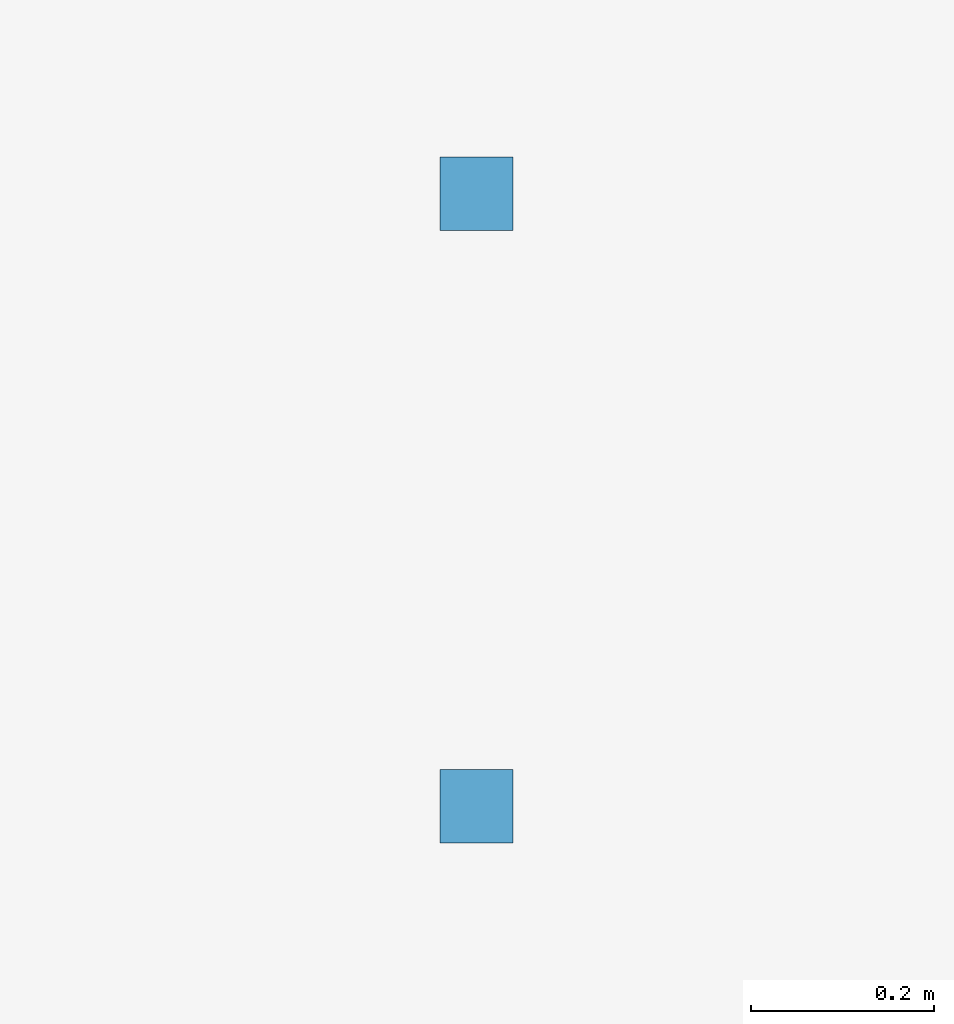
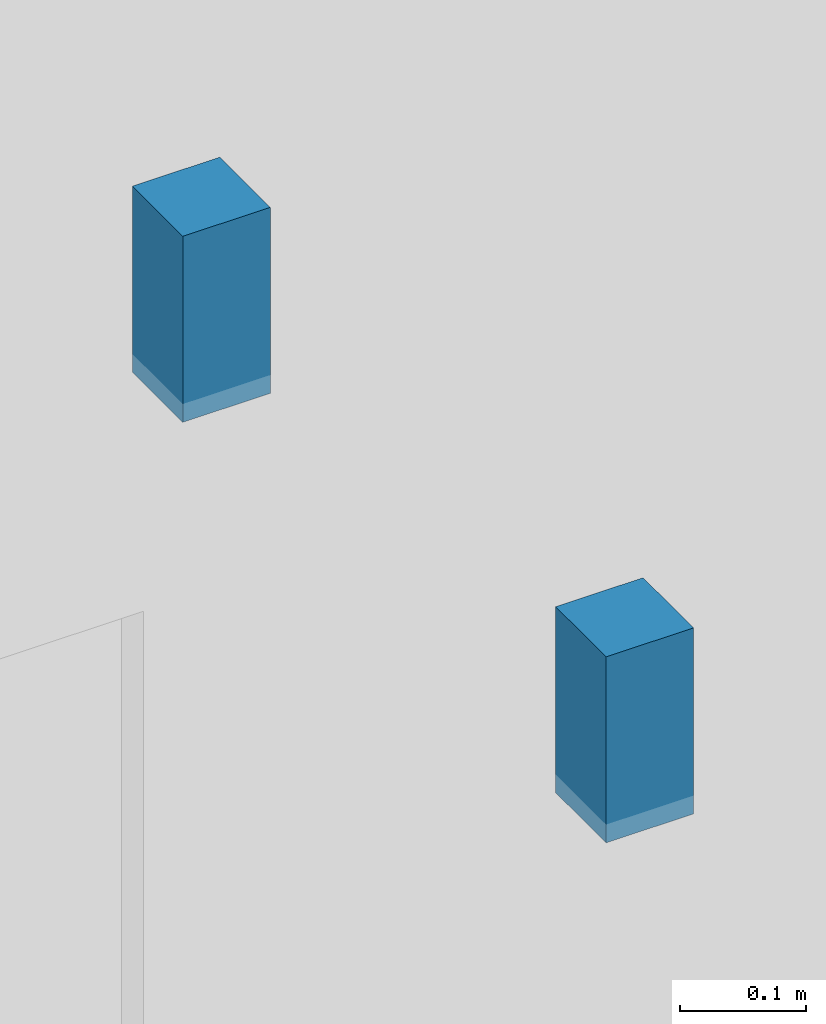
# One storey, part 9 of 18: 2 discrete accessories.
"""IFC4 building model written with IfcOpenShell, lengths in metres."""

from ifc_helpers import new_model, si_unit, direction, frame, origin, origin_2d, place, context, subcontext, project, spatial, rectangle, extrude, material, type_object, element, save


model = new_model("IFC4")

# Units and contexts
model_context = context("Model", 3, precision=1e-05, world=origin(), true_north=direction((0.0, 1.0)))
body_context = subcontext(model_context, "Body", "Model", "MODEL_VIEW")
ifc_project = project(units=[si_unit("LENGTHUNIT", "METRE"), si_unit("AREAUNIT", "SQUARE_METRE"), si_unit("VOLUMEUNIT", "CUBIC_METRE"), si_unit("PLANEANGLEUNIT", "RADIAN"), si_unit("MASSUNIT", "GRAM", prefix="KILO")], contexts=[model_context])

# Site, building, storey
site_placement = place(None, origin())
site = spatial("IfcSite", under=ifc_project, at=site_placement, CompositionType="ELEMENT")
building_placement = place(site_placement, origin())
building = spatial("IfcBuilding", under=site, at=building_placement, Name="Kolvaren Gate Tower and Convention Centre", CompositionType="ELEMENT")
storey_placement = place(building_placement, frame((0.0, 0.0, 229.39990234375)))
storey = spatial("IfcBuildingStorey", under=building, at=storey_placement, Name="L61", CompositionType="ELEMENT", Elevation=229.39990234375)

# Discrete accessories
ifc_material = material(Name="Brushed Stainless Steel Grade 316L", Category="steel")
discrete_accessory_type = type_object("IfcDiscreteAccessoryType", Name="ARCH-ACC-HANGER-80", PredefinedType="BRACKET", material=ifc_material)
for number, where, z_axis, x_axis, name in (
    (1, (33.8349609375, 10.342041015625, 2.85009765625), (0.0, 0.0, 1.0), (1.0, 0.0, 0.0), "Duplex Loft Living Room (APT-L61-02) Ceiling Suspension Hanger Clip 1"),
    (2, (33.8349609375, 11.012939453125, 2.85009765625), (0.0, 0.0, 1.0), (1.0, 0.0, 0.0), "Duplex Loft Living Room (APT-L61-02) Ceiling Suspension Hanger Clip 3"),
):
    element("IfcDiscreteAccessory", number, at=place(storey_placement, frame(where, z_axis=z_axis, x_axis=x_axis)), inside=storey, type_object=discrete_accessory_type, Name=name, PredefinedType="BRACKET", context=body_context, shape_type="SweptSolid", body=[
        extrude(rectangle(XDim=0.080078125, YDim=0.080078125, at=origin_2d()), origin(), (0.0, 0.0, 1.0), 0.179931640625),
    ])

save(model, "model.ifc")
